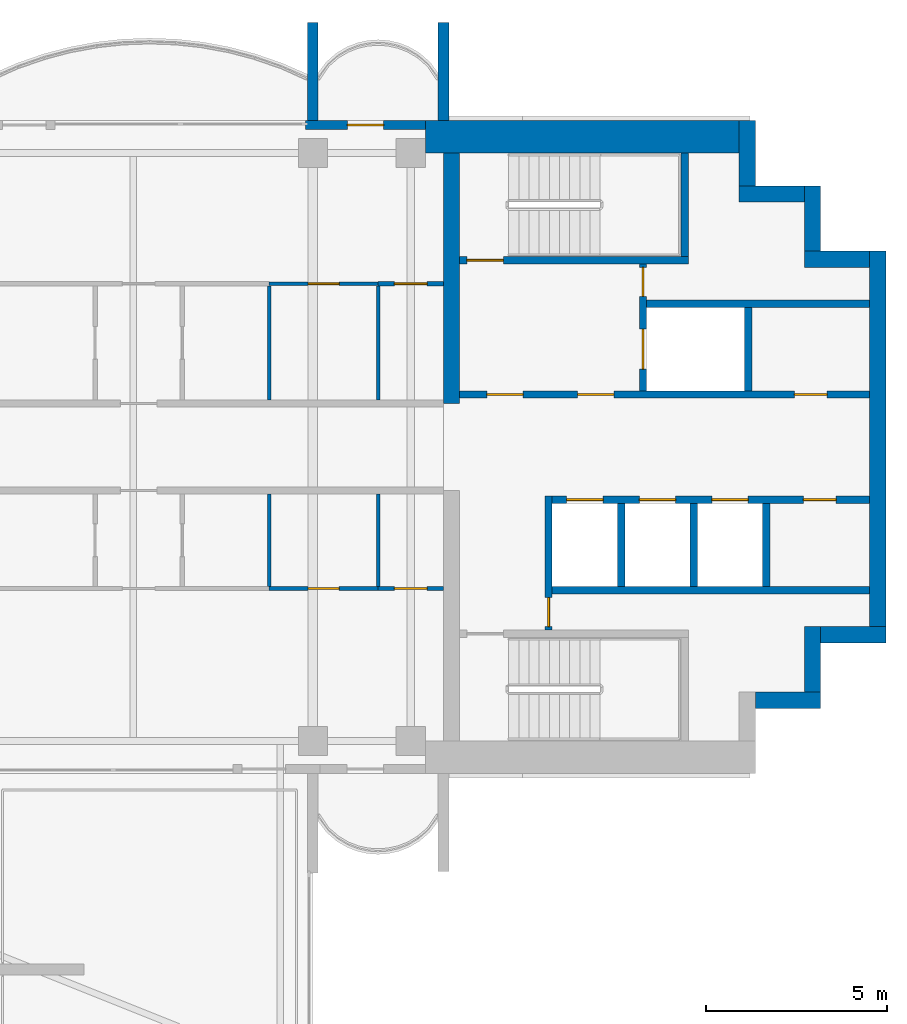
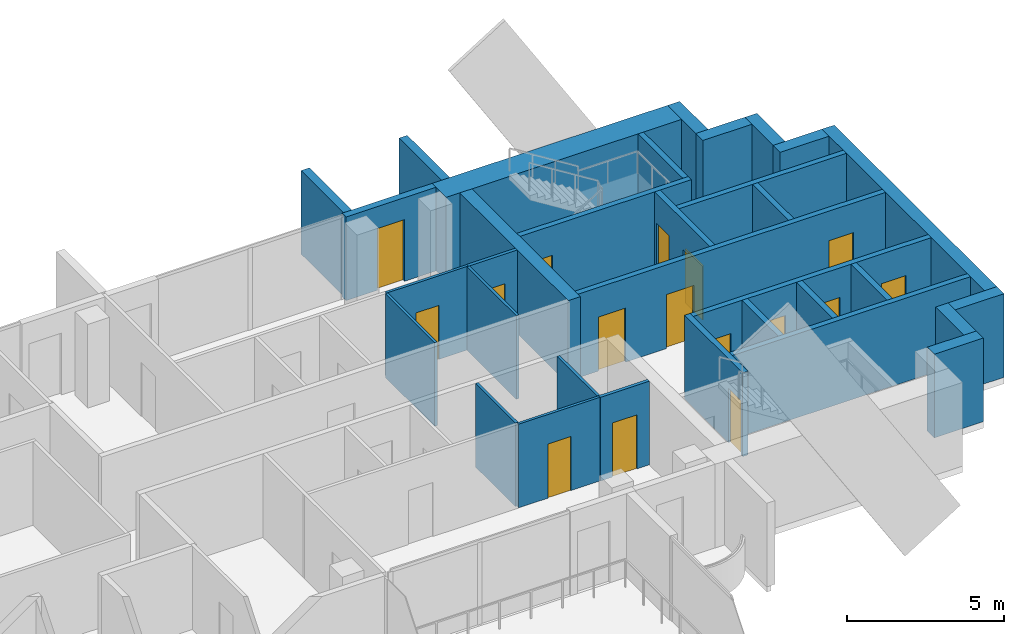
# One storey, part 11 of 16: 33 walls, 16 doors, 16 openings.
"""IFC4 building model written with IfcOpenShell, lengths in metres."""

from ifc_helpers import new_model, si_unit, direction, frame, frame_2d, origin, place, context, subcontext, project, spatial, rectangle, extrude, material, layer, layer_set, type_object, element, fill, save


model = new_model("IFC4")

# Units and contexts
model_context = context("Model", 3, precision=1e-05, world=origin(), true_north=direction((0.0, 1.0)))
body_context = subcontext(model_context, "Body", "Model", "MODEL_VIEW")
ifc_project = project(units=[si_unit("LENGTHUNIT", "METRE"), si_unit("AREAUNIT", "SQUARE_METRE"), si_unit("VOLUMEUNIT", "CUBIC_METRE"), si_unit("PLANEANGLEUNIT", "RADIAN"), si_unit("MASSUNIT", "GRAM", prefix="KILO")], contexts=[model_context])

# Site, building, storey
site_placement = place(None, origin())
site = spatial("IfcSite", under=ifc_project, at=site_placement, CompositionType="ELEMENT")
building_placement = place(site_placement, origin())
building = spatial("IfcBuilding", under=site, at=building_placement, Name="Perihelion Cross Residences", CompositionType="ELEMENT")
storey_placement = place(building_placement, frame((0.0, 0.0, 250.0)))
storey = spatial("IfcBuildingStorey", under=building, at=storey_placement, Name="L63", CompositionType="ELEMENT", Elevation=250.0)

# Wall, opening, door
ifc_material_1 = material(Name="Concrete C30/37, bronze-clad", Category="concrete")
ifc_layer_1 = layer(ifc_material_1, 0.25)
ifc_layer_set_1 = layer_set([ifc_layer_1], Name="Bronze-clad pier wall 250")
wall_type_1 = type_object("IfcWallType", Name="Bronze-clad pier wall 250", PredefinedType="SOLIDWALL", material=ifc_layer_set_1)
wall_1_placement = place(storey_placement, frame((21.10009765625, 8.875, 0.0), z_axis=(0.0, 0.0, 1.0), x_axis=(-1.0, 0.0, 0.0)))
wall_1 = element("IfcWall", 1, at=wall_1_placement, inside=storey, type_object=wall_type_1, Name="Wall FW1 L63 east side north bay 1 pier", PredefinedType="SOLIDWALL", context=body_context, shape_type="SweptSolid", body=[
    extrude(rectangle(XDim=3.300048828125, YDim=0.25, at=frame_2d((1.64990234375, 0.0))), origin(), (0.0, 0.0, 1.0), 3.25),
])
opening_1_placement = place(wall_1_placement, frame((1.14990234375, 0.0, 0.0)))
opening_1 = element("IfcOpeningElement", 2, at=opening_1_placement, cuts=wall_1, Name="Opening L63.E01", PredefinedType="OPENING", context=body_context, shape_type="SweptSolid", body=[
    extrude(rectangle(XDim=1.0, YDim=2.39990234375, at=frame_2d((0.5, 1.199951171875))), frame((0.0, 0.135009765625, 0.0), z_axis=(0.0, -1.0, 0.0), x_axis=(1.0, 0.0, 0.0)), (0.0, 0.0, 1.0), 0.27001953125),
])
ifc_material_2 = material(Name="Bronze anodised aluminium, glazed", Category="aluminium")
door_type_1 = type_object("IfcDoorType", Name="Balcony door 1000 x 2400", OperationType="NOTDEFINED", PredefinedType="DOOR", material=ifc_material_2)
door_1_placement = place(opening_1_placement, origin())
door_1 = element("IfcDoor", 3, at=door_1_placement, inside=storey, type_object=door_type_1, Name="Door L63.E01 east side north bay 1", OperationType="SINGLE_SWING_LEFT", OverallHeight=2.39990234375, OverallWidth=1.0, PredefinedType="DOOR", context=body_context, shape_type="SweptSolid", body=[
    extrude(rectangle(XDim=1.0, YDim=2.39990234375, at=frame_2d((0.5, 1.199951171875))), frame((0.0, 0.02490234375, 0.0), z_axis=(0.0, -1.0, 0.0), x_axis=(1.0, 0.0, 0.0)), (0.0, 0.0, 1.0), 0.050048828125),
])
fill(opening_1, door_1)

# Walls
ifc_material_3 = material(Name="Concrete C60/75", Category="concrete")
ifc_layer_2 = layer(ifc_material_3, 0.449951171875)
ifc_layer_set_2 = layer_set([ifc_layer_2], Name="Core wall, inner 450")
wall_type_2 = type_object("IfcWallType", Name="Core wall, inner 450", PredefinedType="SHEAR", material=ifc_layer_set_2)
wall_2_placement = place(storey_placement, frame((21.824951171875, 1.199951171875, 0.0), z_axis=(0.0, 0.0, 1.0), x_axis=(0.0, 1.0, 0.0)))
element("IfcWall", 4, at=wall_2_placement, inside=storey, type_object=wall_type_2, Name="East core core wall, inner", PredefinedType="SHEAR", context=body_context, shape_type="SweptSolid", body=[
    extrude(rectangle(XDim=6.900146484375, YDim=0.449951171875, at=frame_2d((3.4501953125, 0.0))), origin(), (0.0, 0.0, 1.0), 3.25),
])
ifc_material_4 = material(Name="Concrete C60/75", Category="concrete")
ifc_layer_3 = layer(ifc_material_4, 0.449951171875)
ifc_layer_set_3 = layer_set([ifc_layer_3], Name="Core wall, outer 450")
wall_type_3 = type_object("IfcWallType", Name="Core wall, outer 450", PredefinedType="SHEAR", material=ifc_layer_set_3)
for number, where, z_axis, x_axis, name in (
    (5, (30.199951171875, -6.97509765625, 0.0), (0.0, 0.0, 1.0), (1.0, 0.0, 0.0), "East core core wall, outer"),
    (6, (31.77490234375, -6.75, 0.0), (0.0, 0.0, 1.0), (0.0, 1.0, 0.0), "East core core wall, outer"),
    (7, (32.0, -5.175048828125, 0.0), (0.0, 0.0, 1.0), (1.0, 0.0, 0.0), "East core core wall, outer"),
):
    element("IfcWall", number, at=place(storey_placement, frame(where, z_axis=z_axis, x_axis=x_axis)), inside=storey, type_object=wall_type_3, Name=name, PredefinedType="SHEAR", context=body_context, shape_type="SweptSolid", body=[
        extrude(rectangle(XDim=1.800048828125, YDim=0.449951171875, at=frame_2d((0.89990234375, 0.0))), origin(), (0.0, 0.0, 1.0), 3.25),
    ])
wall_3_placement = place(storey_placement, frame((33.574951171875, -4.949951171875, 0.0), z_axis=(0.0, 0.0, 1.0), x_axis=(0.0, 1.0, 0.0)))
element("IfcWall", 8, at=wall_3_placement, inside=storey, type_object=wall_type_3, Name="East core core wall, outer", PredefinedType="SHEAR", context=body_context, shape_type="SweptSolid", body=[
    extrude(rectangle(XDim=10.349853515625, YDim=0.449951171875, at=frame_2d((5.1748046875, 0.0))), origin(), (0.0, 0.0, 1.0), 3.25),
])
for number, where, z_axis, x_axis, name in (
    (9, (31.550048828125, 5.175048828125, 0.0), (0.0, 0.0, 1.0), (1.0, 0.0, 0.0), "East core core wall, outer"),
    (10, (31.77490234375, 5.39990234375, 0.0), (0.0, 0.0, 1.0), (0.0, 1.0, 0.0), "East core core wall, outer"),
    (11, (29.75, 6.97509765625, 0.0), (0.0, 0.0, 1.0), (1.0, 0.0, 0.0), "East core core wall, outer"),
    (12, (29.97509765625, 7.199951171875, 0.0), (0.0, 0.0, 1.0), (0.0, 1.0, 0.0), "East core core wall, outer"),
):
    element("IfcWall", number, at=place(storey_placement, frame(where, z_axis=z_axis, x_axis=x_axis)), inside=storey, type_object=wall_type_3, Name=name, PredefinedType="SHEAR", context=body_context, shape_type="SweptSolid", body=[
        extrude(rectangle(XDim=1.800048828125, YDim=0.449951171875, at=frame_2d((0.89990234375, 0.0))), origin(), (0.0, 0.0, 1.0), 3.25),
    ])
ifc_material_5 = material(Name="Concrete C60/75", Category="concrete")
ifc_layer_4 = layer(ifc_material_5, 0.89990234375)
ifc_layer_set_4 = layer_set([ifc_layer_4], Name="Core wall, outer 900")
wall_type_4 = type_object("IfcWallType", Name="Core wall, outer 900", PredefinedType="SHEAR", material=ifc_layer_set_4)
wall_4_placement = place(storey_placement, frame((21.10009765625, 8.550048828125, 0.0), z_axis=(0.0, 0.0, 1.0), x_axis=(1.0, 0.0, 0.0)))
element("IfcWall", 13, at=wall_4_placement, inside=storey, type_object=wall_type_4, Name="East core core wall, outer", PredefinedType="SHEAR", context=body_context, shape_type="SweptSolid", body=[
    extrude(rectangle(XDim=8.64990234375, YDim=0.89990234375, at=frame_2d((4.324951171875, 0.0))), origin(), (0.0, 0.0, 1.0), 3.25),
])

# Wall, opening, door
ifc_material_6 = material(Name="Concrete C50/60", Category="concrete")
ifc_layer_5 = layer(ifc_material_6, 0.199951171875)
ifc_layer_set_5 = layer_set([ifc_layer_5], Name="Lobby wall 200")
wall_type_5 = type_object("IfcWallType", Name="Lobby wall 200", PredefinedType="SOLIDWALL", material=ifc_layer_set_5)
wall_5_placement = place(storey_placement, frame((24.5, -5.050048828125, 0.0), z_axis=(0.0, 0.0, 1.0), x_axis=(0.0, 1.0, 0.0)))
wall_5 = element("IfcWall", 14, at=wall_5_placement, inside=storey, type_object=wall_type_5, Name="East core lobby wall", PredefinedType="SOLIDWALL", context=body_context, shape_type="SweptSolid", body=[
    extrude(rectangle(XDim=3.699951171875, YDim=0.199951171875, at=frame_2d((1.85009765625, 0.0))), origin(), (0.0, 0.0, 1.0), 3.25),
])
opening_2_placement = place(wall_5_placement, frame((0.10009765625, 0.0, 0.0)))
opening_2 = element("IfcOpeningElement", 15, at=opening_2_placement, cuts=wall_5, Name="Opening L63.C08", PredefinedType="OPENING", context=body_context, shape_type="SweptSolid", body=[
    extrude(rectangle(XDim=0.800048828125, YDim=2.10009765625, at=frame_2d((0.39990234375, 1.050048828125))), frame((0.0, 0.10986328125, 0.0), z_axis=(0.0, -1.0, 0.0), x_axis=(1.0, 0.0, 0.0)), (0.0, 0.0, 1.0), 0.219970703125),
])
ifc_material_7 = material(Name="Steel, powder coated", Category="steel")
door_type_2 = type_object("IfcDoorType", Name="Riser door 800", OperationType="SINGLE_SWING_LEFT", PredefinedType="DOOR", material=ifc_material_7)
door_2_placement = place(opening_2_placement, origin())
door_2 = element("IfcDoor", 16, at=door_2_placement, inside=storey, type_object=door_type_2, Name="East core riser door", OperationType="SINGLE_SWING_LEFT", OverallHeight=2.10009765625, OverallWidth=0.800048828125, PredefinedType="DOOR", context=body_context, shape_type="SweptSolid", body=[
    extrude(rectangle(XDim=0.800048828125, YDim=2.10009765625, at=frame_2d((0.39990234375, 1.050048828125))), frame((0.0, 0.02490234375, 0.0), z_axis=(0.0, -1.0, 0.0), x_axis=(1.0, 0.0, 0.0)), (0.0, 0.0, 1.0), 0.050048828125),
])
fill(opening_2, door_2)

ifc_material_8 = material(Name="Plasterboard partition")
ifc_layer_6 = layer(ifc_material_8, 0.1201171875)
ifc_layer_set_6 = layer_set([ifc_layer_6], Name="Partition wall 120")
wall_type_6 = type_object("IfcWallType", Name="Partition wall 120", PredefinedType="PARTITIONING", material=ifc_layer_set_6)
wall_6_placement = place(storey_placement, frame((19.800048828125, 4.5, 0.0), z_axis=(0.0, 0.0, 1.0), x_axis=(1.0, 0.0, 0.0)))
wall_6 = element("IfcWall", 17, at=wall_6_placement, inside=storey, type_object=wall_type_6, Name="Partition L63 W029", PredefinedType="PARTITIONING", context=body_context, shape_type="SweptSolid", body=[
    extrude(rectangle(XDim=1.800048828125, YDim=0.1201171875, at=frame_2d((0.89990234375, 0.0))), origin(), (0.0, 0.0, 1.0), 3.25),
])
opening_3_placement = place(wall_6_placement, frame((0.449951171875, 0.0, 0.0)))
opening_3 = element("IfcOpeningElement", 18, at=opening_3_placement, cuts=wall_6, Name="Opening L63.A05", PredefinedType="OPENING", context=body_context, shape_type="SweptSolid", body=[
    extrude(rectangle(XDim=0.89990234375, YDim=2.10009765625, at=frame_2d((0.449951171875, 1.050048828125))), frame((0.0, 0.070068359375, 0.0), z_axis=(0.0, -1.0, 0.0), x_axis=(1.0, 0.0, 0.0)), (0.0, 0.0, 1.0), 0.14013671875),
])
ifc_material_9 = material(Name="Timber door leaf", Category="wood")
door_type_3 = type_object("IfcDoorType", Name="Interior room door 900 x 2100", OperationType="SINGLE_SWING_LEFT", PredefinedType="DOOR", material=ifc_material_9)
door_3_placement = place(opening_3_placement, origin())
door_3 = element("IfcDoor", 19, at=door_3_placement, inside=storey, type_object=door_type_3, Name="Door L63.A05", OperationType="SINGLE_SWING_LEFT", OverallHeight=2.10009765625, OverallWidth=0.89990234375, PredefinedType="DOOR", context=body_context, shape_type="SweptSolid", body=[
    extrude(rectangle(XDim=0.89990234375, YDim=2.10009765625, at=frame_2d((0.449951171875, 1.050048828125))), frame((0.0, 0.02490234375, 0.0), z_axis=(0.0, -1.0, 0.0), x_axis=(1.0, 0.0, 0.0)), (0.0, 0.0, 1.0), 0.050048828125),
])
fill(opening_3, door_3)

wall_7_placement = place(storey_placement, frame((21.60009765625, -3.89990234375, 0.0), z_axis=(0.0, 0.0, 1.0), x_axis=(-1.0, 0.0, 0.0)))
wall_7 = element("IfcWall", 20, at=wall_7_placement, inside=storey, type_object=wall_type_6, Name="Partition L63 W038", PredefinedType="PARTITIONING", context=body_context, shape_type="SweptSolid", body=[
    extrude(rectangle(XDim=1.800048828125, YDim=0.1201171875, at=frame_2d((0.89990234375, 0.0))), origin(), (0.0, 0.0, 1.0), 3.25),
])
opening_4_placement = place(wall_7_placement, frame((0.449951171875, 0.0, 0.0)))
opening_4 = element("IfcOpeningElement", 21, at=opening_4_placement, cuts=wall_7, Name="Opening L63.A12", PredefinedType="OPENING", context=body_context, shape_type="SweptSolid", body=[
    extrude(rectangle(XDim=0.89990234375, YDim=2.10009765625, at=frame_2d((0.449951171875, 1.050048828125))), frame((0.0, 0.070068359375, 0.0), z_axis=(0.0, -1.0, 0.0), x_axis=(1.0, 0.0, 0.0)), (0.0, 0.0, 1.0), 0.14013671875),
])
door_4_placement = place(opening_4_placement, origin())
door_4 = element("IfcDoor", 22, at=door_4_placement, inside=storey, type_object=door_type_3, Name="Door L63.A12", OperationType="SINGLE_SWING_LEFT", OverallHeight=2.10009765625, OverallWidth=0.89990234375, PredefinedType="DOOR", context=body_context, shape_type="SweptSolid", body=[
    extrude(rectangle(XDim=0.89990234375, YDim=2.10009765625, at=frame_2d((0.449951171875, 1.050048828125))), frame((0.0, 0.02490234375, 0.0), z_axis=(0.0, -1.0, 0.0), x_axis=(1.0, 0.0, 0.0)), (0.0, 0.0, 1.0), 0.050048828125),
])
fill(opening_4, door_4)

# Walls
ifc_material_10 = material(Name="Precast concrete C50/60", Category="concrete")
ifc_layer_7 = layer(ifc_material_10, 0.300048828125)
ifc_layer_set_7 = layer_set([ifc_layer_7], Name="Precast concrete C50/60 blade wall 300")
wall_type_7 = type_object("IfcWallType", Name="Precast concrete C50/60 blade wall 300", PredefinedType="SOLIDWALL", material=ifc_layer_set_7)
for number, where, z_axis, x_axis, name in (
    (23, (18.0, 9.0, 0.0), (0.0, 0.0, 1.0), (0.0, 1.0, 0.0), "Wall BL1 L63 no. 11"),
    (24, (21.60009765625, 9.0, 0.0), (0.0, 0.0, 1.0), (0.0, 1.0, 0.0), "Wall BL1 L63 no. 13"),
):
    element("IfcWall", number, at=place(storey_placement, frame(where, z_axis=z_axis, x_axis=x_axis)), inside=storey, type_object=wall_type_7, Name=name, PredefinedType="SOLIDWALL", context=body_context, shape_type="SweptSolid", body=[
        extrude(rectangle(XDim=2.699951171875, YDim=0.300048828125, at=frame_2d((1.35009765625, 0.0))), origin(), (0.0, 0.0, 1.0), 3.25),
    ])

# Wall, openings, doors
ifc_material_11 = material(Name="Concrete C50/60", Category="concrete")
ifc_layer_8 = layer(ifc_material_11, 0.199951171875)
ifc_layer_set_8 = layer_set([ifc_layer_8], Name="Shaft wall 200")
wall_type_8 = type_object("IfcWallType", Name="Shaft wall 200", PredefinedType="SOLIDWALL", material=ifc_layer_set_8)
wall_8_placement = place(storey_placement, frame((22.050048828125, 1.449951171875, 0.0), z_axis=(0.0, 0.0, 1.0), x_axis=(1.0, 0.0, 0.0)))
wall_8 = element("IfcWall", 25, at=wall_8_placement, inside=storey, type_object=wall_type_8, Name="East core shaft wall", PredefinedType="SOLIDWALL", context=body_context, shape_type="SweptSolid", body=[
    extrude(rectangle(XDim=11.300048828125, YDim=0.199951171875, at=frame_2d((5.64990234375, 0.0))), origin(), (0.0, 0.0, 1.0), 3.25),
])
opening_5_placement = place(wall_8_placement, frame((0.75, 0.0, 0.0)))
opening_5 = element("IfcOpeningElement", 26, at=opening_5_placement, cuts=wall_8, Name="Opening L63.C07", PredefinedType="OPENING", context=body_context, shape_type="SweptSolid", body=[
    extrude(rectangle(XDim=1.0, YDim=2.10009765625, at=frame_2d((0.5, 1.050048828125))), frame((0.0, 0.10986328125, 0.0), z_axis=(0.0, -1.0, 0.0), x_axis=(1.0, 0.0, 0.0)), (0.0, 0.0, 1.0), 0.219970703125),
])
opening_6_placement = place(wall_8_placement, frame((3.25, 0.0, 0.0)))
opening_6 = element("IfcOpeningElement", 27, at=opening_6_placement, cuts=wall_8, Name="Opening L63.C09", PredefinedType="OPENING", context=body_context, shape_type="SweptSolid", body=[
    extrude(rectangle(XDim=1.0, YDim=2.10009765625, at=frame_2d((0.5, 1.050048828125))), frame((0.0, 0.10986328125, 0.0), z_axis=(0.0, -1.0, 0.0), x_axis=(1.0, 0.0, 0.0)), (0.0, 0.0, 1.0), 0.219970703125),
])
opening_7_placement = place(wall_8_placement, frame((9.22509765625, 0.0, 0.0)))
opening_7 = element("IfcOpeningElement", 28, at=opening_7_placement, cuts=wall_8, Name="Opening L63.C11", PredefinedType="OPENING", context=body_context, shape_type="SweptSolid", body=[
    extrude(rectangle(XDim=0.89990234375, YDim=2.10009765625, at=frame_2d((0.449951171875, 1.050048828125))), frame((0.0, 0.10986328125, 0.0), z_axis=(0.0, -1.0, 0.0), x_axis=(1.0, 0.0, 0.0)), (0.0, 0.0, 1.0), 0.219970703125),
])
ifc_material_12 = material(Name="Steel, powder coated", Category="steel")
door_type_4 = type_object("IfcDoorType", Name="Lobby door 1000", OperationType="SINGLE_SWING_LEFT", PredefinedType="DOOR", material=ifc_material_12)
door_5_placement = place(opening_5_placement, origin())
door_5 = element("IfcDoor", 29, at=door_5_placement, inside=storey, type_object=door_type_4, Name="East core firefighting lobby door", OperationType="SINGLE_SWING_LEFT", OverallHeight=2.10009765625, OverallWidth=1.0, PredefinedType="DOOR", context=body_context, shape_type="SweptSolid", body=[
    extrude(rectangle(XDim=1.0, YDim=2.10009765625, at=frame_2d((0.5, 1.050048828125))), frame((0.0, 0.02490234375, 0.0), z_axis=(0.0, -1.0, 0.0), x_axis=(1.0, 0.0, 0.0)), (0.0, 0.0, 1.0), 0.050048828125),
])
fill(opening_5, door_5)
door_6_placement = place(opening_6_placement, origin())
door_6 = element("IfcDoor", 30, at=door_6_placement, inside=storey, type_object=door_type_4, Name="East core firefighting lobby door", OperationType="SINGLE_SWING_LEFT", OverallHeight=2.10009765625, OverallWidth=1.0, PredefinedType="DOOR", context=body_context, shape_type="SweptSolid", body=[
    extrude(rectangle(XDim=1.0, YDim=2.10009765625, at=frame_2d((0.5, 1.050048828125))), frame((0.0, 0.02490234375, 0.0), z_axis=(0.0, -1.0, 0.0), x_axis=(1.0, 0.0, 0.0)), (0.0, 0.0, 1.0), 0.050048828125),
])
fill(opening_6, door_6)
ifc_material_13 = material(Name="Steel, powder coated", Category="steel")
door_type_5 = type_object("IfcDoorType", Name="Service room door 900", OperationType="SINGLE_SWING_LEFT", PredefinedType="DOOR", material=ifc_material_13)
door_7_placement = place(opening_7_placement, origin())
door_7 = element("IfcDoor", 31, at=door_7_placement, inside=storey, type_object=door_type_5, Name="East core service room door", OperationType="SINGLE_SWING_LEFT", OverallHeight=2.10009765625, OverallWidth=0.89990234375, PredefinedType="DOOR", context=body_context, shape_type="SweptSolid", body=[
    extrude(rectangle(XDim=0.89990234375, YDim=2.10009765625, at=frame_2d((0.449951171875, 1.050048828125))), frame((0.0, 0.02490234375, 0.0), z_axis=(0.0, -1.0, 0.0), x_axis=(1.0, 0.0, 0.0)), (0.0, 0.0, 1.0), 0.050048828125),
])
fill(opening_7, door_7)

wall_9_placement = place(storey_placement, frame((24.60009765625, -1.449951171875, 0.0), z_axis=(0.0, 0.0, 1.0), x_axis=(1.0, 0.0, 0.0)))
wall_9 = element("IfcWall", 32, at=wall_9_placement, inside=storey, type_object=wall_type_8, Name="East core shaft wall", PredefinedType="SOLIDWALL", context=body_context, shape_type="SweptSolid", body=[
    extrude(rectangle(XDim=8.75, YDim=0.199951171875, at=frame_2d((4.375, 0.0))), origin(), (0.0, 0.0, 1.0), 3.25),
])
opening_8_placement = place(wall_9_placement, frame((0.39990234375, 0.0, 0.0)))
opening_8 = element("IfcOpeningElement", 33, at=opening_8_placement, cuts=wall_9, Name="Opening L63.C01", PredefinedType="OPENING", context=body_context, shape_type="SweptSolid", body=[
    extrude(rectangle(XDim=1.0, YDim=2.10009765625, at=frame_2d((0.5, 1.050048828125))), frame((0.0, 0.10986328125, 0.0), z_axis=(0.0, -1.0, 0.0), x_axis=(1.0, 0.0, 0.0)), (0.0, 0.0, 1.0), 0.219970703125),
])
opening_9_placement = place(wall_9_placement, frame((2.39990234375, 0.0, 0.0)))
opening_9 = element("IfcOpeningElement", 34, at=opening_9_placement, cuts=wall_9, Name="Opening L63.C03", PredefinedType="OPENING", context=body_context, shape_type="SweptSolid", body=[
    extrude(rectangle(XDim=1.0, YDim=2.10009765625, at=frame_2d((0.5, 1.050048828125))), frame((0.0, 0.10986328125, 0.0), z_axis=(0.0, -1.0, 0.0), x_axis=(1.0, 0.0, 0.0)), (0.0, 0.0, 1.0), 0.219970703125),
])
opening_10_placement = place(wall_9_placement, frame((4.39990234375, 0.0, 0.0)))
opening_10 = element("IfcOpeningElement", 35, at=opening_10_placement, cuts=wall_9, Name="Opening L63.C04", PredefinedType="OPENING", context=body_context, shape_type="SweptSolid", body=[
    extrude(rectangle(XDim=1.0, YDim=2.10009765625, at=frame_2d((0.5, 1.050048828125))), frame((0.0, 0.10986328125, 0.0), z_axis=(0.0, -1.0, 0.0), x_axis=(1.0, 0.0, 0.0)), (0.0, 0.0, 1.0), 0.219970703125),
])
opening_11_placement = place(wall_9_placement, frame((6.925048828125, 0.0, 0.0)))
opening_11 = element("IfcOpeningElement", 36, at=opening_11_placement, cuts=wall_9, Name="Opening L63.C12", PredefinedType="OPENING", context=body_context, shape_type="SweptSolid", body=[
    extrude(rectangle(XDim=0.89990234375, YDim=2.10009765625, at=frame_2d((0.449951171875, 1.050048828125))), frame((0.0, 0.10986328125, 0.0), z_axis=(0.0, -1.0, 0.0), x_axis=(1.0, 0.0, 0.0)), (0.0, 0.0, 1.0), 0.219970703125),
])
ifc_material_14 = material(Name="Stainless steel", Category="steel")
door_type_6 = type_object("IfcDoorType", Name="Landing door 1000", OperationType="DOUBLE_DOOR_SLIDING", PredefinedType="DOOR", material=ifc_material_14)
door_8_placement = place(opening_8_placement, origin())
door_8 = element("IfcDoor", 37, at=door_8_placement, inside=storey, type_object=door_type_6, Name="Landing door, East core high-rise lift 1", OperationType="DOUBLE_DOOR_SLIDING", OverallHeight=2.10009765625, OverallWidth=1.0, PredefinedType="DOOR", context=body_context, shape_type="SweptSolid", body=[
    extrude(rectangle(XDim=1.0, YDim=2.10009765625, at=frame_2d((0.5, 1.050048828125))), frame((0.0, 0.02490234375, 0.0), z_axis=(0.0, -1.0, 0.0), x_axis=(1.0, 0.0, 0.0)), (0.0, 0.0, 1.0), 0.050048828125),
])
fill(opening_8, door_8)
door_9_placement = place(opening_9_placement, origin())
door_9 = element("IfcDoor", 38, at=door_9_placement, inside=storey, type_object=door_type_6, Name="Landing door, East core high-rise lift 2", OperationType="DOUBLE_DOOR_SLIDING", OverallHeight=2.10009765625, OverallWidth=1.0, PredefinedType="DOOR", context=body_context, shape_type="SweptSolid", body=[
    extrude(rectangle(XDim=1.0, YDim=2.10009765625, at=frame_2d((0.5, 1.050048828125))), frame((0.0, 0.02490234375, 0.0), z_axis=(0.0, -1.0, 0.0), x_axis=(1.0, 0.0, 0.0)), (0.0, 0.0, 1.0), 0.050048828125),
])
fill(opening_9, door_9)
door_10_placement = place(opening_10_placement, origin())
door_10 = element("IfcDoor", 39, at=door_10_placement, inside=storey, type_object=door_type_6, Name="Landing door, East core high-rise lift 3", OperationType="DOUBLE_DOOR_SLIDING", OverallHeight=2.10009765625, OverallWidth=1.0, PredefinedType="DOOR", context=body_context, shape_type="SweptSolid", body=[
    extrude(rectangle(XDim=1.0, YDim=2.10009765625, at=frame_2d((0.5, 1.050048828125))), frame((0.0, 0.02490234375, 0.0), z_axis=(0.0, -1.0, 0.0), x_axis=(1.0, 0.0, 0.0)), (0.0, 0.0, 1.0), 0.050048828125),
])
fill(opening_10, door_10)
door_11_placement = place(opening_11_placement, origin())
door_11 = element("IfcDoor", 40, at=door_11_placement, inside=storey, type_object=door_type_5, Name="East core service room door", OperationType="SINGLE_SWING_LEFT", OverallHeight=2.10009765625, OverallWidth=0.89990234375, PredefinedType="DOOR", context=body_context, shape_type="SweptSolid", body=[
    extrude(rectangle(XDim=0.89990234375, YDim=2.10009765625, at=frame_2d((0.449951171875, 1.050048828125))), frame((0.0, 0.02490234375, 0.0), z_axis=(0.0, -1.0, 0.0), x_axis=(1.0, 0.0, 0.0)), (0.0, 0.0, 1.0), 0.050048828125),
])
fill(opening_11, door_11)

# Walls
wall_10_placement = place(storey_placement, frame((27.199951171875, 3.949951171875, 0.0), z_axis=(0.0, 0.0, 1.0), x_axis=(1.0, 0.0, 0.0)))
element("IfcWall", 41, at=wall_10_placement, inside=storey, type_object=wall_type_8, Name="East core shaft wall", PredefinedType="SOLIDWALL", context=body_context, shape_type="SweptSolid", body=[
    extrude(rectangle(XDim=6.150146484375, YDim=0.199951171875, at=frame_2d((3.0751953125, 0.0))), origin(), (0.0, 0.0, 1.0), 3.25),
])
wall_11_placement = place(storey_placement, frame((24.60009765625, -3.949951171875, 0.0), z_axis=(0.0, 0.0, 1.0), x_axis=(1.0, 0.0, 0.0)))
element("IfcWall", 42, at=wall_11_placement, inside=storey, type_object=wall_type_8, Name="East core shaft wall", PredefinedType="SOLIDWALL", context=body_context, shape_type="SweptSolid", body=[
    extrude(rectangle(XDim=8.75, YDim=0.199951171875, at=frame_2d((4.375, 0.0))), origin(), (0.0, 0.0, 1.0), 3.25),
])

# Wall, openings, doors
wall_12_placement = place(storey_placement, frame((27.10009765625, 1.550048828125, 0.0), z_axis=(0.0, 0.0, 1.0), x_axis=(0.0, 1.0, 0.0)))
wall_12 = element("IfcWall", 43, at=wall_12_placement, inside=storey, type_object=wall_type_8, Name="East core shaft wall", PredefinedType="SOLIDWALL", context=body_context, shape_type="SweptSolid", body=[
    extrude(rectangle(XDim=3.5, YDim=0.199951171875, at=frame_2d((1.75, 0.0))), origin(), (0.0, 0.0, 1.0), 3.25),
])
opening_12_placement = place(wall_12_placement, frame((0.60009765625, 0.0, 0.0)))
opening_12 = element("IfcOpeningElement", 44, at=opening_12_placement, cuts=wall_12, Name="Opening L63.C02", PredefinedType="OPENING", context=body_context, shape_type="SweptSolid", body=[
    extrude(rectangle(XDim=1.10009765625, YDim=2.10009765625, at=frame_2d((0.550048828125, 1.050048828125))), frame((0.0, 0.10986328125, 0.0), z_axis=(0.0, -1.0, 0.0), x_axis=(1.0, 0.0, 0.0)), (0.0, 0.0, 1.0), 0.219970703125),
])
opening_13_placement = place(wall_12_placement, frame((2.60009765625, 0.0, 0.0)))
opening_13 = element("IfcOpeningElement", 45, at=opening_13_placement, cuts=wall_12, Name="Opening L63.C10", PredefinedType="OPENING", context=body_context, shape_type="SweptSolid", body=[
    extrude(rectangle(XDim=0.800048828125, YDim=2.10009765625, at=frame_2d((0.39990234375, 1.050048828125))), frame((0.0, 0.10986328125, 0.0), z_axis=(0.0, -1.0, 0.0), x_axis=(1.0, 0.0, 0.0)), (0.0, 0.0, 1.0), 0.219970703125),
])
ifc_material_15 = material(Name="Stainless steel", Category="steel")
door_type_7 = type_object("IfcDoorType", Name="Landing door, firefighting lift 1100", OperationType="DOUBLE_DOOR_SLIDING", PredefinedType="DOOR", material=ifc_material_15)
door_12_placement = place(opening_12_placement, origin())
door_12 = element("IfcDoor", 46, at=door_12_placement, inside=storey, type_object=door_type_7, Name="Landing door, East core firefighting and service lift", OperationType="DOUBLE_DOOR_SLIDING", OverallHeight=2.10009765625, OverallWidth=1.10009765625, PredefinedType="DOOR", context=body_context, shape_type="SweptSolid", body=[
    extrude(rectangle(XDim=1.10009765625, YDim=2.10009765625, at=frame_2d((0.550048828125, 1.050048828125))), frame((0.0, 0.02490234375, 0.0), z_axis=(0.0, -1.0, 0.0), x_axis=(1.0, 0.0, 0.0)), (0.0, 0.0, 1.0), 0.050048828125),
])
fill(opening_12, door_12)
door_13_placement = place(opening_13_placement, origin())
door_13 = element("IfcDoor", 47, at=door_13_placement, inside=storey, type_object=door_type_2, Name="East core riser door", OperationType="SINGLE_SWING_LEFT", OverallHeight=2.10009765625, OverallWidth=0.800048828125, PredefinedType="DOOR", context=body_context, shape_type="SweptSolid", body=[
    extrude(rectangle(XDim=0.800048828125, YDim=2.10009765625, at=frame_2d((0.39990234375, 1.050048828125))), frame((0.0, 0.02490234375, 0.0), z_axis=(0.0, -1.0, 0.0), x_axis=(1.0, 0.0, 0.0)), (0.0, 0.0, 1.0), 0.050048828125),
])
fill(opening_13, door_13)

# Walls
for number, where, z_axis, x_axis, name in (
    (48, (30.0, 1.550048828125, 0.0), (0.0, 0.0, 1.0), (0.0, 1.0, 0.0), "East core shaft wall"),
    (49, (26.5, -3.85009765625, 0.0), (0.0, 0.0, 1.0), (0.0, 1.0, 0.0), "East core shaft wall"),
    (50, (28.5, -3.85009765625, 0.0), (0.0, 0.0, 1.0), (0.0, 1.0, 0.0), "East core shaft wall"),
    (51, (30.5, -3.85009765625, 0.0), (0.0, 0.0, 1.0), (0.0, 1.0, 0.0), "East core shaft wall"),
):
    element("IfcWall", number, at=place(storey_placement, frame(where, z_axis=z_axis, x_axis=x_axis)), inside=storey, type_object=wall_type_8, Name=name, PredefinedType="SOLIDWALL", context=body_context, shape_type="SweptSolid", body=[
        extrude(rectangle(XDim=2.300048828125, YDim=0.199951171875, at=frame_2d((1.14990234375, 0.0))), origin(), (0.0, 0.0, 1.0), 3.25),
    ])

# Wall, opening, door
ifc_material_16 = material(Name="Concrete C50/60", Category="concrete")
ifc_layer_9 = layer(ifc_material_16, 0.199951171875)
ifc_layer_set_9 = layer_set([ifc_layer_9], Name="Stair wall 200")
wall_type_9 = type_object("IfcWallType", Name="Stair wall 200", PredefinedType="SOLIDWALL", material=ifc_layer_set_9)
wall_13_placement = place(storey_placement, frame((22.050048828125, 5.14990234375, 0.0), z_axis=(0.0, 0.0, 1.0), x_axis=(1.0, 0.0, 0.0)))
wall_13 = element("IfcWall", 52, at=wall_13_placement, inside=storey, type_object=wall_type_9, Name="East core stair wall", PredefinedType="SOLIDWALL", context=body_context, shape_type="SweptSolid", body=[
    extrude(rectangle(XDim=6.300048828125, YDim=0.199951171875, at=frame_2d((3.14990234375, 0.0))), origin(), (0.0, 0.0, 1.0), 3.25),
])
opening_14_placement = place(wall_13_placement, frame((0.199951171875, 0.0, 0.0)))
opening_14 = element("IfcOpeningElement", 53, at=opening_14_placement, cuts=wall_13, Name="Opening L63.C06", PredefinedType="OPENING", context=body_context, shape_type="SweptSolid", body=[
    extrude(rectangle(XDim=1.0, YDim=2.10009765625, at=frame_2d((0.5, 1.050048828125))), frame((0.0, 0.10986328125, 0.0), z_axis=(0.0, -1.0, 0.0), x_axis=(1.0, 0.0, 0.0)), (0.0, 0.0, 1.0), 0.219970703125),
])
ifc_material_17 = material(Name="Steel, powder coated", Category="steel")
door_type_8 = type_object("IfcDoorType", Name="Stair door 1000", OperationType="SINGLE_SWING_LEFT", PredefinedType="DOOR", material=ifc_material_17)
door_14_placement = place(opening_14_placement, origin())
door_14 = element("IfcDoor", 54, at=door_14_placement, inside=storey, type_object=door_type_8, Name="East core stair door", OperationType="SINGLE_SWING_LEFT", OverallHeight=2.10009765625, OverallWidth=1.0, PredefinedType="DOOR", context=body_context, shape_type="SweptSolid", body=[
    extrude(rectangle(XDim=1.0, YDim=2.10009765625, at=frame_2d((0.5, 1.050048828125))), frame((0.0, 0.02490234375, 0.0), z_axis=(0.0, -1.0, 0.0), x_axis=(1.0, 0.0, 0.0)), (0.0, 0.0, 1.0), 0.050048828125),
])
fill(opening_14, door_14)

# Walls
wall_14_placement = place(storey_placement, frame((28.25, 5.25, 0.0), z_axis=(0.0, 0.0, 1.0), x_axis=(0.0, 1.0, 0.0)))
element("IfcWall", 55, at=wall_14_placement, inside=storey, type_object=wall_type_9, Name="East core stair wall", PredefinedType="SOLIDWALL", context=body_context, shape_type="SweptSolid", body=[
    extrude(rectangle(XDim=2.85009765625, YDim=0.199951171875, at=frame_2d((1.425048828125, 0.0))), origin(), (0.0, 0.0, 1.0), 3.25),
])
ifc_material_18 = material(Name="Plasterboard partition")
ifc_layer_10 = layer(ifc_material_18, 0.10009765625)
ifc_layer_set_10 = layer_set([ifc_layer_10], Name="Wet room wall 100")
wall_type_10 = type_object("IfcWallType", Name="Wet room wall 100", PredefinedType="PARTITIONING", material=ifc_layer_set_10)
for number, where, z_axis, x_axis, name in (
    (56, (16.800048828125, 4.43994140625, 0.0), (0.0, 0.0, 1.0), (0.0, -1.0, 0.0), "Partition L63 W026"),
    (57, (19.800048828125, 4.43994140625, 0.0), (0.0, 0.0, 1.0), (0.0, -1.0, 0.0), "Partition L63 W027"),
):
    element("IfcWall", number, at=place(storey_placement, frame(where, z_axis=z_axis, x_axis=x_axis)), inside=storey, type_object=wall_type_10, Name=name, PredefinedType="PARTITIONING", context=body_context, shape_type="SweptSolid", body=[
        extrude(rectangle(XDim=3.139892578125, YDim=0.10009765625, at=frame_2d((1.56982421875, 0.0))), origin(), (0.0, 0.0, 1.0), 3.25),
    ])

# Wall, opening, door
wall_15_placement = place(storey_placement, frame((16.800048828125, 4.5, 0.0), z_axis=(0.0, 0.0, 1.0), x_axis=(1.0, 0.0, 0.0)))
wall_15 = element("IfcWall", 58, at=wall_15_placement, inside=storey, type_object=wall_type_10, Name="Partition L63 W028", PredefinedType="PARTITIONING", context=body_context, shape_type="SweptSolid", body=[
    extrude(rectangle(XDim=3.0, YDim=0.10009765625, at=frame_2d((1.5, 0.0))), origin(), (0.0, 0.0, 1.0), 3.25),
])
opening_15_placement = place(wall_15_placement, frame((1.074951171875, 0.0, 0.0)))
opening_15 = element("IfcOpeningElement", 59, at=opening_15_placement, cuts=wall_15, Name="Opening L63.A02", PredefinedType="OPENING", context=body_context, shape_type="SweptSolid", body=[
    extrude(rectangle(XDim=0.85009765625, YDim=2.10009765625, at=frame_2d((0.425048828125, 1.050048828125))), frame((0.0, 0.06005859375, 0.0), z_axis=(0.0, -1.0, 0.0), x_axis=(1.0, 0.0, 0.0)), (0.0, 0.0, 1.0), 0.1201171875),
])
ifc_material_19 = material(Name="Timber door leaf", Category="wood")
door_type_9 = type_object("IfcDoorType", Name="Interior bathroom door 850 x 2100", OperationType="SINGLE_SWING_LEFT", PredefinedType="DOOR", material=ifc_material_19)
door_15_placement = place(opening_15_placement, origin())
door_15 = element("IfcDoor", 60, at=door_15_placement, inside=storey, type_object=door_type_9, Name="Door L63.A02", OperationType="SINGLE_SWING_RIGHT", OverallHeight=2.10009765625, OverallWidth=0.85009765625, PredefinedType="DOOR", context=body_context, shape_type="SweptSolid", body=[
    extrude(rectangle(XDim=0.85009765625, YDim=2.10009765625, at=frame_2d((0.425048828125, 1.050048828125))), frame((0.0, 0.02490234375, 0.0), z_axis=(0.0, -1.0, 0.0), x_axis=(1.0, 0.0, 0.0)), (0.0, 0.0, 1.0), 0.050048828125),
])
fill(opening_15, door_15)

# Walls
for number, where, z_axis, x_axis, name in (
    (61, (16.800048828125, -1.300048828125, 0.0), (0.0, 0.0, 1.0), (0.0, -1.0, 0.0), "Partition L63 W035"),
    (62, (19.800048828125, -1.300048828125, 0.0), (0.0, 0.0, 1.0), (0.0, -1.0, 0.0), "Partition L63 W036"),
):
    element("IfcWall", number, at=place(storey_placement, frame(where, z_axis=z_axis, x_axis=x_axis)), inside=storey, type_object=wall_type_10, Name=name, PredefinedType="PARTITIONING", context=body_context, shape_type="SweptSolid", body=[
        extrude(rectangle(XDim=2.5400390625, YDim=0.10009765625, at=frame_2d((1.27001953125, 0.0))), origin(), (0.0, 0.0, 1.0), 3.25),
    ])

# Wall, opening, door
wall_16_placement = place(storey_placement, frame((19.800048828125, -3.89990234375, 0.0), z_axis=(0.0, 0.0, 1.0), x_axis=(-1.0, 0.0, 0.0)))
wall_16 = element("IfcWall", 63, at=wall_16_placement, inside=storey, type_object=wall_type_10, Name="Partition L63 W037", PredefinedType="PARTITIONING", context=body_context, shape_type="SweptSolid", body=[
    extrude(rectangle(XDim=3.0, YDim=0.10009765625, at=frame_2d((1.5, 0.0))), origin(), (0.0, 0.0, 1.0), 3.25),
])
opening_16_placement = place(wall_16_placement, frame((1.074951171875, 0.0, 0.0)))
opening_16 = element("IfcOpeningElement", 64, at=opening_16_placement, cuts=wall_16, Name="Opening L63.A09", PredefinedType="OPENING", context=body_context, shape_type="SweptSolid", body=[
    extrude(rectangle(XDim=0.85009765625, YDim=2.10009765625, at=frame_2d((0.425048828125, 1.050048828125))), frame((0.0, 0.06005859375, 0.0), z_axis=(0.0, -1.0, 0.0), x_axis=(1.0, 0.0, 0.0)), (0.0, 0.0, 1.0), 0.1201171875),
])
door_16_placement = place(opening_16_placement, origin())
door_16 = element("IfcDoor", 65, at=door_16_placement, inside=storey, type_object=door_type_9, Name="Door L63.A09", OperationType="SINGLE_SWING_RIGHT", OverallHeight=2.10009765625, OverallWidth=0.85009765625, PredefinedType="DOOR", context=body_context, shape_type="SweptSolid", body=[
    extrude(rectangle(XDim=0.85009765625, YDim=2.10009765625, at=frame_2d((0.425048828125, 1.050048828125))), frame((0.0, 0.02490234375, 0.0), z_axis=(0.0, -1.0, 0.0), x_axis=(1.0, 0.0, 0.0)), (0.0, 0.0, 1.0), 0.050048828125),
])
fill(opening_16, door_16)

save(model, "model.ifc")
